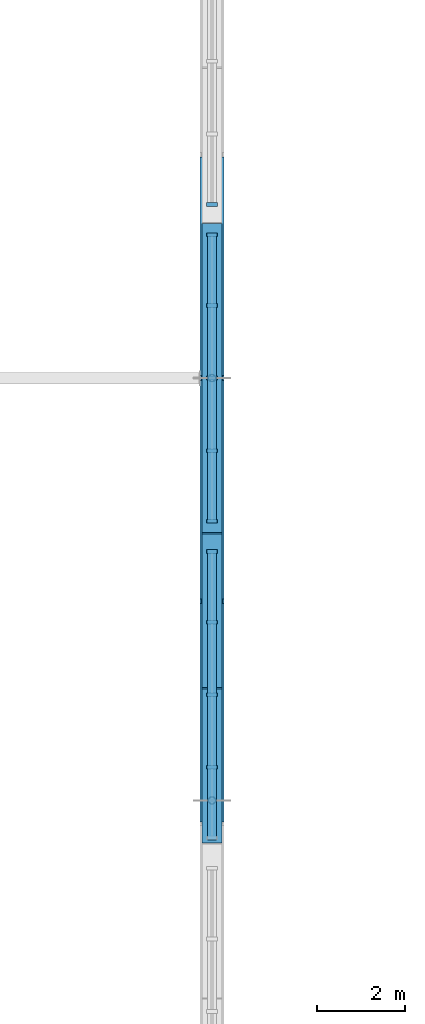
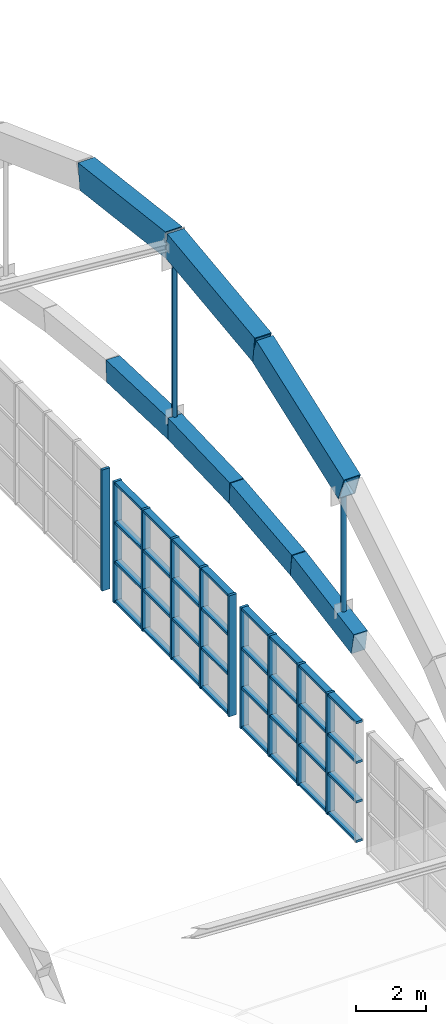
# One storey, part 24 of 64: 23 members, 4 beams, 3 elements without a shape of their own.
"""IFC4 building model written with IfcOpenShell, lengths in metres."""

import ifcopenshell
import ifcopenshell.guid

model = None  # the IFC model being written
_history = None  # IfcOwnerHistory: only IFC2X3 demands one
_inside = {}  # id of a spatial element -> (the spatial element, [elements in it])
_under = {}  # id of a project, library or spatial element -> (it, [spatial elements below it])
_declared = {}  # id of a project -> (the project, [libraries it declares])
_typed = {}  # id of a type object -> (the type object, [elements of that type])
_made_of = {}  # id of a material, layer set ... -> (it, [elements and type objects made of it])


def new_model(schema):
    """Start an empty IFC model of exactly this schema.

    Asked for "IFC4X3", IfcOpenShell would pick the latest addendum, in which some entities
    have other attributes; the version numbers below select the first issue.
    IFC2X3 requires an IfcOwnerHistory on every rooted entity: one is made here for all.
    """
    global model, _history
    if schema == "IFC4X3":
        model = ifcopenshell.file(schema_version=(4, 3, 0, 0))
    else:
        model = ifcopenshell.file(schema=schema)
    _inside.clear()
    _under.clear()
    _declared.clear()
    _typed.clear()
    _made_of.clear()
    _history = None
    if model.schema == "IFC2X3":
        org = make("IfcOrganization", Name="unknown")
        user = make(
            "IfcPersonAndOrganization",
            ThePerson=make("IfcPerson", FamilyName="unknown"),
            TheOrganization=org,
        )
        app = make(
            "IfcApplication",
            ApplicationDeveloper=org,
            Version="unknown",
            ApplicationFullName="unknown",
            ApplicationIdentifier="unknown",
        )
        _history = make(
            "IfcOwnerHistory",
            OwningUser=user,
            OwningApplication=app,
            ChangeAction="ADDED",
            CreationDate=0,
        )
    return model


def make(cls, **values):
    """One entity of the class cls with the attributes given. An attribute that is None is left unset."""
    return model.create_entity(
        cls, **{name: value for name, value in values.items() if value is not None}
    )


def rooted(cls, **values):
    """An entity with a GlobalId (a new one), such as an element, a storey or a relation."""
    return make(cls, GlobalId=ifcopenshell.guid.new(), OwnerHistory=_history, **values)


def si_unit(unit_type, name, prefix=None):
    """IfcSIUnit, for example si_unit("LENGTHUNIT", "METRE", prefix="MILLI")."""
    return make("IfcSIUnit", UnitType=unit_type, Prefix=prefix, Name=name)


def assignment(units):
    """IfcUnitAssignment: the units of a project."""
    return None if units is None else make("IfcUnitAssignment", Units=units)


def point(xyz):
    """IfcCartesianPoint."""
    return None if xyz is None else make("IfcCartesianPoint", Coordinates=xyz)


def direction(xyz):
    """IfcDirection."""
    return None if xyz is None else make("IfcDirection", DirectionRatios=xyz)


def frame(location, z_axis=None, x_axis=None):
    """IfcAxis2Placement3D, a coordinate frame: its origin and axes. An axis left out is left unset."""
    return make(
        "IfcAxis2Placement3D",
        Location=point(location),
        Axis=direction(z_axis),
        RefDirection=direction(x_axis),
    )


def frame_2d(location, x_axis=None):
    """IfcAxis2Placement2D, a coordinate frame in the plane: its origin and x axis."""
    return make(
        "IfcAxis2Placement2D", Location=point(location), RefDirection=direction(x_axis)
    )


def origin():
    """The frame at (0, 0, 0) with its axes left unset."""
    return frame((0.0, 0.0, 0.0))


def origin_2d():
    """The frame at (0, 0) in the plane with its x axis left unset."""
    return frame_2d((0.0, 0.0))


def place(relative_to, where):
    """IfcLocalPlacement: puts the frame where relative to a parent placement (None: the world)."""
    return make(
        "IfcLocalPlacement", PlacementRelTo=relative_to, RelativePlacement=where
    )


def context(
    kind, dimensions, precision=None, world=None, true_north=None, identifier=None
):
    """IfcGeometricRepresentationContext, for example the 3D "Model" context."""
    return make(
        "IfcGeometricRepresentationContext",
        ContextIdentifier=identifier,
        ContextType=kind,
        CoordinateSpaceDimension=dimensions,
        Precision=precision,
        WorldCoordinateSystem=world,
        TrueNorth=true_north,
    )


def subcontext(parent, identifier, kind, view, scale=None):
    """IfcGeometricRepresentationSubContext, for example "Body" below "Model"."""
    return make(
        "IfcGeometricRepresentationSubContext",
        ContextIdentifier=identifier,
        ContextType=kind,
        ParentContext=parent,
        TargetScale=scale,
        TargetView=view,
    )


def project(units=None, contexts=None):
    """IfcProject with its units and contexts."""
    return rooted(
        "IfcProject",
        Name="project",
        RepresentationContexts=contexts,
        UnitsInContext=assignment(units),
    )


def spatial(cls, under=None, at=None, **own):
    """A site, building, storey or space (cls), placed at a placement, below another one or the project."""
    s = rooted(cls, ObjectPlacement=at, **own)
    if under is not None:
        _under.setdefault(under.id(), (under, []))[1].append(s)
    return s


def profile(cls, at=None, kind="AREA", **sizes):
    """A parametric profile (cls). Its sizes go by their IFC names, for example OverallWidth=200.0."""
    return make(cls, ProfileType=kind, Position=at, **sizes)


def rectangle(**sizes):
    """IfcRectangleProfileDef."""
    return profile("IfcRectangleProfileDef", **sizes)


def hollow_rectangle(**sizes):
    """IfcRectangleHollowProfileDef."""
    return profile("IfcRectangleHollowProfileDef", **sizes)


def hollow_circle(**sizes):
    """IfcCircleHollowProfileDef."""
    return profile("IfcCircleHollowProfileDef", **sizes)


def extrude(swept, where, along, depth):
    """IfcExtrudedAreaSolid: the profile swept, set in the frame where, extruded along a direction by depth."""
    return make(
        "IfcExtrudedAreaSolid",
        SweptArea=swept,
        Position=where,
        ExtrudedDirection=direction(along),
        Depth=depth,
    )


def shape(context_of_items, identifier, shape_type, items):
    """IfcShapeRepresentation: the items that make up one representation, for example the "Body"."""
    return make(
        "IfcShapeRepresentation",
        ContextOfItems=context_of_items,
        RepresentationIdentifier=identifier,
        RepresentationType=shape_type,
        Items=items,
    )


def material(Name=None, Category=None):
    """IfcMaterial."""
    return make("IfcMaterial", Name=Name, Category=Category)


def material_profile(
    of_material, cross_section, Name=None, Category=None, Priority=None
):
    """IfcMaterialProfile: a cross section and its material."""
    return make(
        "IfcMaterialProfile",
        Name=Name,
        Material=of_material,
        Profile=cross_section,
        Priority=Priority,
        Category=Category,
    )


def profile_set(profiles, Name=None, composite=None):
    """IfcMaterialProfileSet."""
    return make(
        "IfcMaterialProfileSet",
        Name=Name,
        MaterialProfiles=profiles,
        CompositeProfile=composite,
    )


def made_of(thing, what):
    """Note that an element or type object is made of a material, layer set ...; save() writes the relation."""
    if what is not None:
        _made_of.setdefault(what.id(), (what, []))[1].append(thing)
    return thing


def type_object(cls, material=None, **own):
    """A type object (cls), such as IfcWallType, which elements share."""
    return made_of(rooted(cls, **own), material)


def element(
    cls,
    number,
    at=None,
    inside=None,
    cuts=None,
    type_object=None,
    material=None,
    context=None,
    identifier="Body",
    shape_type=None,
    held_by="IfcProductDefinitionShape",
    body=None,
    shapes=None,
    **own,
):
    """One element of the class cls, such as IfcWall. Its Tag is "e" and its number.

    at: its placement. inside: the storey or other place that contains it. cuts: it is an
    opening in that element (IfcRelVoidsElement). A single representation is given by context,
    identifier, shape_type and body (its items); several are given by shapes. held_by: the class
    of the entity that holds the representations. save() writes the other relations.
    """
    e = rooted(cls, Tag="e%d" % number, ObjectPlacement=at, **own)
    if body is not None:
        shapes = [shape(context, identifier, shape_type, body)]
    if shapes is not None:
        e.Representation = make(held_by, Representations=shapes)
    if inside is not None:
        _inside.setdefault(inside.id(), (inside, []))[1].append(e)
    if cuts is not None:
        rooted(
            "IfcRelVoidsElement", RelatingBuildingElement=cuts, RelatedOpeningElement=e
        )
    if type_object is not None:
        _typed.setdefault(type_object.id(), (type_object, []))[1].append(e)
    return made_of(e, material)


def aggregate(whole, parts):
    """IfcRelAggregates: a whole, such as a stair, and the parts it consists of."""
    return rooted("IfcRelAggregates", RelatingObject=whole, RelatedObjects=parts)


def save(model, path):
    """Write the relations noted so far, then the file.

    IfcRelAggregates (storeys below a building ...), IfcRelContainedInSpatialStructure (elements
    in a storey), IfcRelDefinesByType, IfcRelAssociatesMaterial and IfcRelDeclares: one each for
    every whole, place, type object, material and project.
    """
    for whole, parts in _under.values():
        aggregate(whole, parts)
    for where, things in _inside.values():
        rooted(
            "IfcRelContainedInSpatialStructure",
            RelatedElements=things,
            RelatingStructure=where,
        )
    for kind, things in _typed.values():
        rooted("IfcRelDefinesByType", RelatedObjects=things, RelatingType=kind)
    for what, things in _made_of.values():
        rooted("IfcRelAssociatesMaterial", RelatedObjects=things, RelatingMaterial=what)
    for by, libraries in _declared.values():
        rooted("IfcRelDeclares", RelatingContext=by, RelatedDefinitions=libraries)
    model.write(path)


model = new_model("IFC4")

# Units and contexts
model_context = context("Model", 3, precision=1e-05, world=origin(), true_north=direction((0.0, 1.0)))
body_context = subcontext(model_context, "Body", "Model", "MODEL_VIEW")
ifc_project = project(units=[si_unit("LENGTHUNIT", "METRE"), si_unit("AREAUNIT", "SQUARE_METRE"), si_unit("VOLUMEUNIT", "CUBIC_METRE"), si_unit("PLANEANGLEUNIT", "RADIAN"), si_unit("MASSUNIT", "GRAM", prefix="KILO")], contexts=[model_context])

# Site, building, storey
site_placement = place(None, origin())
site = spatial("IfcSite", under=ifc_project, at=site_placement, CompositionType="ELEMENT")
building_placement = place(site_placement, origin())
building = spatial("IfcBuilding", under=site, at=building_placement, Name="Leyfeld Transit Interchange", CompositionType="ELEMENT")
storey_placement = place(building_placement, frame((0.0, 0.0, 9.60009765625)))
storey = spatial("IfcBuildingStorey", under=building, at=storey_placement, Name="L02", CompositionType="ELEMENT", Elevation=9.60009765625)

# Beams
ifc_material_1 = material(Name="Concrete C40/50", Category="concrete")
ifc_material_profile_1 = material_profile(ifc_material_1, rectangle(XDim=0.449951171875, YDim=0.75, at=origin_2d()), Name="RC 750x450 RIB")
ifc_profile_set_1 = profile_set([ifc_material_profile_1], Name="Concrete C40/50")
beam_type = type_object("IfcBeamType", Name="BM-RIB-750x450", PredefinedType="USERDEFINED", material=ifc_profile_set_1)
beam_1_placement = place(storey_placement, frame((100.800048828125, 21.89990234375, 6.3251953125), z_axis=(0.0, 0.984546197367, 0.175125056033), x_axis=(-1.0, 0.0, 0.0)))
element("IfcBeam", 1, at=beam_1_placement, inside=storey, type_object=beam_type, Name="Concourse Vault Rib A8 Seg 6", ObjectType="ARCH_RIB", PredefinedType="USERDEFINED", context=body_context, shape_type="SweptSolid", body=[
    extrude(rectangle(XDim=0.449951171875, YDim=0.75, at=origin_2d()), origin(), (0.0, 0.0, 1.0), 3.554931640625),
])
beam_2_placement = place(storey_placement, frame((100.800048828125, 25.39990234375, 6.94775390625), z_axis=(0.0, 0.99446241795, 0.105092812723), x_axis=(-1.0, 0.0, 0.0)))
element("IfcBeam", 2, at=beam_2_placement, inside=storey, type_object=beam_type, Name="Concourse Vault Rib A8 Seg 7", ObjectType="ARCH_RIB", PredefinedType="USERDEFINED", context=body_context, shape_type="SweptSolid", body=[
    extrude(rectangle(XDim=0.449951171875, YDim=0.75, at=origin_2d()), origin(), (0.0, 0.0, 1.0), 3.51953125),
])
for number, where, z_axis, x_axis, name in (
    (3, (100.800048828125, 28.89990234375, 7.317626953125), (0.0, 0.999387477159, 0.034995292518), (-1.0, 0.0, 0.0), "Concourse Vault Rib A8 Seg 8"),
    (4, (100.800048828125, 32.39990234375, 7.440185546875), (0.0, 0.999387477159, -0.034995292518), (-1.0, 0.0, 0.0), "Concourse Vault Rib A8 Seg 9"),
):
    element("IfcBeam", number, at=place(storey_placement, frame(where, z_axis=z_axis, x_axis=x_axis)), inside=storey, type_object=beam_type, Name=name, ObjectType="ARCH_RIB", PredefinedType="USERDEFINED", context=body_context, shape_type="SweptSolid", body=[
        extrude(rectangle(XDim=0.449951171875, YDim=0.75, at=origin_2d()), origin(), (0.0, 0.0, 1.0), 3.502197265625),
    ])

# Curtain wall, members
ifc_material_2 = material(Name="Anodised aluminium EN AW-6060 T66", Category="aluminium")
curtain_wall_type = type_object("IfcCurtainWallType", Name="CW-SYS-GAB-7200", PredefinedType="NOTDEFINED", material=ifc_material_2)
curtain_wall_1_placement = place(storey_placement, origin())
curtain_wall_1 = element("IfcCurtainWall", 5, at=curtain_wall_1_placement, inside=storey, type_object=curtain_wall_type, Name="Curtain Wall CW-L02-GABE-02", PredefinedType="NOTDEFINED")
ifc_material_profile_2 = material_profile(ifc_material_2, rectangle(XDim=0.0849609375, YDim=0.260009765625, at=origin_2d()), Name="CW-M 85x260")
ifc_profile_set_2 = profile_set([ifc_material_profile_2], Name="Anodised aluminium EN AW-6060 T66")
member_type_1 = type_object("IfcMemberType", Name="CW-MUL-220x80", PredefinedType="MULLION", material=ifc_profile_set_2)
member_1_placement = place(storey_placement, frame((100.800048828125, 23.550048828125, -0.60009765625), z_axis=(0.0, 0.0, 1.0), x_axis=(0.0, 1.0, 0.0)))
member_1 = element("IfcMember", 6, at=member_1_placement, type_object=member_type_1, Name="Curtain Mullion CW-L02-GABE-02-M02", PredefinedType="MULLION", context=body_context, shape_type="SweptSolid", body=[
    extrude(rectangle(XDim=0.0849609375, YDim=0.260009765625, at=origin_2d()), origin(), (0.0, 0.0, 1.0), 4.199951171875),
])
member_2_placement = place(storey_placement, frame((100.800048828125, 25.199951171875, -0.60009765625), z_axis=(0.0, 0.0, 1.0), x_axis=(0.0, 1.0, 0.0)))
member_2 = element("IfcMember", 7, at=member_2_placement, type_object=member_type_1, Name="Curtain Mullion CW-L02-GABE-02-M03", PredefinedType="MULLION", context=body_context, shape_type="SweptSolid", body=[
    extrude(rectangle(XDim=0.0849609375, YDim=0.260009765625, at=origin_2d()), origin(), (0.0, 0.0, 1.0), 4.199951171875),
])
member_3_placement = place(storey_placement, frame((100.800048828125, 26.85009765625, -0.60009765625), z_axis=(0.0, 0.0, 1.0), x_axis=(0.0, 1.0, 0.0)))
member_3 = element("IfcMember", 8, at=member_3_placement, type_object=member_type_1, Name="Curtain Mullion CW-L02-GABE-02-M04", PredefinedType="MULLION", context=body_context, shape_type="SweptSolid", body=[
    extrude(rectangle(XDim=0.0849609375, YDim=0.260009765625, at=origin_2d()), origin(), (0.0, 0.0, 1.0), 4.199951171875),
])
member_4_placement = place(storey_placement, frame((100.800048828125, 28.45751953125, -0.60009765625), z_axis=(0.0, 0.0, 1.0), x_axis=(0.0, 1.0, 0.0)))
member_4 = element("IfcMember", 9, at=member_4_placement, type_object=member_type_1, Name="Curtain Mullion CW-L02-GABE-02-M05", PredefinedType="MULLION", context=body_context, shape_type="SweptSolid", body=[
    extrude(rectangle(XDim=0.0849609375, YDim=0.260009765625, at=origin_2d()), origin(), (0.0, 0.0, 1.0), 4.199951171875),
])

curtain_wall_2_placement = place(storey_placement, origin())
curtain_wall_2 = element("IfcCurtainWall", 10, at=curtain_wall_2_placement, inside=storey, type_object=curtain_wall_type, Name="Curtain Wall CW-L02-GABE-03", PredefinedType="NOTDEFINED")
member_5_placement = place(storey_placement, frame((100.800048828125, 29.142578125, -0.60009765625), z_axis=(0.0, 0.0, 1.0), x_axis=(0.0, 1.0, 0.0)))
member_5 = element("IfcMember", 11, at=member_5_placement, type_object=member_type_1, Name="Curtain Mullion CW-L02-GABE-03-M01", PredefinedType="MULLION", context=body_context, shape_type="SweptSolid", body=[
    extrude(rectangle(XDim=0.0849609375, YDim=0.260009765625, at=origin_2d()), origin(), (0.0, 0.0, 1.0), 4.199951171875),
])
member_6_placement = place(storey_placement, frame((100.800048828125, 30.75, -0.60009765625), z_axis=(0.0, 0.0, 1.0), x_axis=(0.0, 1.0, 0.0)))
member_6 = element("IfcMember", 12, at=member_6_placement, type_object=member_type_1, Name="Curtain Mullion CW-L02-GABE-03-M02", PredefinedType="MULLION", context=body_context, shape_type="SweptSolid", body=[
    extrude(rectangle(XDim=0.0849609375, YDim=0.260009765625, at=origin_2d()), origin(), (0.0, 0.0, 1.0), 4.199951171875),
])
member_7_placement = place(storey_placement, frame((100.800048828125, 32.39990234375, -0.60009765625), z_axis=(0.0, 0.0, 1.0), x_axis=(0.0, 1.0, 0.0)))
member_7 = element("IfcMember", 13, at=member_7_placement, type_object=member_type_1, Name="Curtain Mullion CW-L02-GABE-03-M03", PredefinedType="MULLION", context=body_context, shape_type="SweptSolid", body=[
    extrude(rectangle(XDim=0.0849609375, YDim=0.260009765625, at=origin_2d()), origin(), (0.0, 0.0, 1.0), 4.199951171875),
])
member_8_placement = place(storey_placement, frame((100.800048828125, 34.050048828125, -0.60009765625), z_axis=(0.0, 0.0, 1.0), x_axis=(0.0, 1.0, 0.0)))
member_8 = element("IfcMember", 14, at=member_8_placement, type_object=member_type_1, Name="Curtain Mullion CW-L02-GABE-03-M04", PredefinedType="MULLION", context=body_context, shape_type="SweptSolid", body=[
    extrude(rectangle(XDim=0.0849609375, YDim=0.260009765625, at=origin_2d()), origin(), (0.0, 0.0, 1.0), 4.199951171875),
])
member_9_placement = place(storey_placement, frame((100.800048828125, 35.657470703125, -0.60009765625), z_axis=(0.0, 0.0, 1.0), x_axis=(0.0, 1.0, 0.0)))
member_9 = element("IfcMember", 15, at=member_9_placement, type_object=member_type_1, Name="Curtain Mullion CW-L02-GABE-03-M05", PredefinedType="MULLION", context=body_context, shape_type="SweptSolid", body=[
    extrude(rectangle(XDim=0.0849609375, YDim=0.260009765625, at=origin_2d()), origin(), (0.0, 0.0, 1.0), 4.199951171875),
])

# Curtain wall, member
curtain_wall_3_placement = place(storey_placement, origin())
curtain_wall_3 = element("IfcCurtainWall", 16, at=curtain_wall_3_placement, inside=storey, type_object=curtain_wall_type, Name="Curtain Wall CW-L02-GABE-04", PredefinedType="NOTDEFINED")
member_10_placement = place(storey_placement, frame((100.800048828125, 36.342529296875, -0.60009765625), z_axis=(0.0, 0.0, 1.0), x_axis=(0.0, 1.0, 0.0)))
member_10 = element("IfcMember", 17, at=member_10_placement, type_object=member_type_1, Name="Curtain Mullion CW-L02-GABE-04-M01", PredefinedType="MULLION", context=body_context, shape_type="SweptSolid", body=[
    extrude(rectangle(XDim=0.0849609375, YDim=0.260009765625, at=origin_2d()), origin(), (0.0, 0.0, 1.0), 4.199951171875),
])
aggregate(curtain_wall_3, [member_10])

# Member
ifc_material_profile_3 = material_profile(ifc_material_2, rectangle(XDim=0.2099609375, YDim=0.0849609375, at=origin_2d()), Name="CW-TRN-200x80")
ifc_profile_set_3 = profile_set([ifc_material_profile_3], Name="Anodised aluminium EN AW-6060 T66")
member_type_2 = type_object("IfcMemberType", Name="CW-TRN-200x80", PredefinedType="USERDEFINED", material=ifc_profile_set_3)
member_11_placement = place(storey_placement, frame((100.800048828125, 21.89990234375, -0.5576171875), z_axis=(0.0, 1.0, 0.0), x_axis=(-1.0, 0.0, 0.0)))
member_11 = element("IfcMember", 18, at=member_11_placement, type_object=member_type_2, Name="Curtain Transom CW-L02-GABE-02-T01", ObjectType="TRANSOM", PredefinedType="USERDEFINED", context=body_context, shape_type="SweptSolid", body=[
    extrude(rectangle(XDim=0.2099609375, YDim=0.0849609375, at=origin_2d()), origin(), (0.0, 0.0, 1.0), 6.60009765625),
])

member_12_placement = place(storey_placement, frame((100.800048828125, 21.89990234375, 0.814208984375), z_axis=(0.0, 1.0, 0.0), x_axis=(-1.0, 0.0, 0.0)))
member_12 = element("IfcMember", 19, at=member_12_placement, type_object=member_type_2, Name="Curtain Transom CW-L02-GABE-02-T02", ObjectType="TRANSOM", PredefinedType="USERDEFINED", context=body_context, shape_type="SweptSolid", body=[
    extrude(rectangle(XDim=0.2099609375, YDim=0.0849609375, at=origin_2d()), origin(), (0.0, 0.0, 1.0), 6.60009765625),
])

member_13_placement = place(storey_placement, frame((100.800048828125, 21.89990234375, 2.185791015625), z_axis=(0.0, 1.0, 0.0), x_axis=(-1.0, 0.0, 0.0)))
member_13 = element("IfcMember", 20, at=member_13_placement, type_object=member_type_2, Name="Curtain Transom CW-L02-GABE-02-T03", ObjectType="TRANSOM", PredefinedType="USERDEFINED", context=body_context, shape_type="SweptSolid", body=[
    extrude(rectangle(XDim=0.2099609375, YDim=0.0849609375, at=origin_2d()), origin(), (0.0, 0.0, 1.0), 6.60009765625),
])

member_14_placement = place(storey_placement, frame((100.800048828125, 21.89990234375, 3.557373046875), z_axis=(0.0, 1.0, 0.0), x_axis=(-1.0, 0.0, 0.0)))
member_14 = element("IfcMember", 21, at=member_14_placement, type_object=member_type_2, Name="Curtain Transom CW-L02-GABE-02-T04", ObjectType="TRANSOM", PredefinedType="USERDEFINED", context=body_context, shape_type="SweptSolid", body=[
    extrude(rectangle(XDim=0.2099609375, YDim=0.0849609375, at=origin_2d()), origin(), (0.0, 0.0, 1.0), 6.60009765625),
])

aggregate(curtain_wall_1, [member_1, member_2, member_3, member_4, member_11, member_12, member_13, member_14])

member_15_placement = place(storey_placement, frame((100.800048828125, 29.10009765625, -0.5576171875), z_axis=(0.0, 1.0, 0.0), x_axis=(-1.0, 0.0, 0.0)))
member_15 = element("IfcMember", 22, at=member_15_placement, type_object=member_type_2, Name="Curtain Transom CW-L02-GABE-03-T01", ObjectType="TRANSOM", PredefinedType="USERDEFINED", context=body_context, shape_type="SweptSolid", body=[
    extrude(rectangle(XDim=0.2099609375, YDim=0.0849609375, at=origin_2d()), origin(), (0.0, 0.0, 1.0), 6.599853515625),
])

member_16_placement = place(storey_placement, frame((100.800048828125, 29.10009765625, 0.814208984375), z_axis=(0.0, 1.0, 0.0), x_axis=(-1.0, 0.0, 0.0)))
member_16 = element("IfcMember", 23, at=member_16_placement, type_object=member_type_2, Name="Curtain Transom CW-L02-GABE-03-T02", ObjectType="TRANSOM", PredefinedType="USERDEFINED", context=body_context, shape_type="SweptSolid", body=[
    extrude(rectangle(XDim=0.2099609375, YDim=0.0849609375, at=origin_2d()), origin(), (0.0, 0.0, 1.0), 6.599853515625),
])

member_17_placement = place(storey_placement, frame((100.800048828125, 29.10009765625, 2.185791015625), z_axis=(0.0, 1.0, 0.0), x_axis=(-1.0, 0.0, 0.0)))
member_17 = element("IfcMember", 24, at=member_17_placement, type_object=member_type_2, Name="Curtain Transom CW-L02-GABE-03-T03", ObjectType="TRANSOM", PredefinedType="USERDEFINED", context=body_context, shape_type="SweptSolid", body=[
    extrude(rectangle(XDim=0.2099609375, YDim=0.0849609375, at=origin_2d()), origin(), (0.0, 0.0, 1.0), 6.599853515625),
])

member_18_placement = place(storey_placement, frame((100.800048828125, 29.10009765625, 3.557373046875), z_axis=(0.0, 1.0, 0.0), x_axis=(-1.0, 0.0, 0.0)))
member_18 = element("IfcMember", 25, at=member_18_placement, type_object=member_type_2, Name="Curtain Transom CW-L02-GABE-03-T04", ObjectType="TRANSOM", PredefinedType="USERDEFINED", context=body_context, shape_type="SweptSolid", body=[
    extrude(rectangle(XDim=0.2099609375, YDim=0.0849609375, at=origin_2d()), origin(), (0.0, 0.0, 1.0), 6.599853515625),
])

aggregate(curtain_wall_2, [member_5, member_6, member_7, member_8, member_9, member_15, member_16, member_17, member_18])

# Members
ifc_material_3 = material(Name="Steel S355J2 - Ochre Arch", Category="steel")
ifc_material_profile_4 = material_profile(ifc_material_3, hollow_rectangle(XDim=0.550048828125, YDim=0.89990234375, WallThickness=0.031982421875, at=origin_2d()), Name="RHS 900x550x32")
ifc_profile_set_4 = profile_set([ifc_material_profile_4], Name="Steel S355J2 - Ochre Arch")
member_type_3 = type_object("IfcMemberType", Name="MEM-ARCH-900", PredefinedType="USERDEFINED", material=ifc_profile_set_4)
member_19_placement = place(storey_placement, frame((100.800048828125, 22.466796875, 11.36669921875), z_axis=(0.0, 0.938638972775, 0.344901259475), x_axis=(-1.0, 0.0, 0.0)))
element("IfcMember", 26, at=member_19_placement, inside=storey, type_object=member_type_3, Name="Primary Steel Arch GP-E Seg 5", ObjectType="ARCH_SEGMENT", PredefinedType="USERDEFINED", context=body_context, shape_type="SweptSolid", body=[
    extrude(hollow_rectangle(XDim=0.550048828125, YDim=0.89990234375, WallThickness=0.031982421875, at=origin_2d()), origin(), (0.0, 0.0, 1.0), 5.291259765625),
])
member_20_placement = place(storey_placement, frame((100.800048828125, 27.433349609375, 13.191650390625), z_axis=(0.0, 0.992586268566, 0.121542171508), x_axis=(-1.0, 0.0, 0.0)))
element("IfcMember", 27, at=member_20_placement, inside=storey, type_object=member_type_3, Name="Primary Steel Arch GP-E Seg 6", ObjectType="ARCH_SEGMENT", PredefinedType="USERDEFINED", context=body_context, shape_type="SweptSolid", body=[
    extrude(hollow_rectangle(XDim=0.550048828125, YDim=0.89990234375, WallThickness=0.031982421875, at=origin_2d()), origin(), (0.0, 0.0, 1.0), 5.003662109375),
])
member_21_placement = place(storey_placement, frame((100.800048828125, 32.39990234375, 13.7998046875), z_axis=(0.0, 0.992586989301, -0.121536285408), x_axis=(-1.0, 0.0, 0.0)))
element("IfcMember", 28, at=member_21_placement, inside=storey, type_object=member_type_3, Name="Primary Steel Arch GP-E Seg 7", ObjectType="ARCH_SEGMENT", PredefinedType="USERDEFINED", context=body_context, shape_type="SweptSolid", body=[
    extrude(hollow_rectangle(XDim=0.550048828125, YDim=0.89990234375, WallThickness=0.031982421875, at=origin_2d()), origin(), (0.0, 0.0, 1.0), 5.00390625),
])
ifc_material_4 = material(Name="Steel S355J2", Category="steel")
ifc_material_profile_5 = material_profile(ifc_material_4, hollow_circle(Radius=0.084228515625, WallThickness=0.008056640625, at=origin_2d()), Name="CHS 168.3x8")
ifc_profile_set_5 = profile_set([ifc_material_profile_5], Name="Steel S355J2")
member_type_4 = type_object("IfcMemberType", Name="MEM-HGR-168", PredefinedType="USERDEFINED", material=ifc_profile_set_5)
member_22_placement = place(storey_placement, frame((100.800048828125, 22.800048828125, 6.885009765625), z_axis=(0.0, 0.0, 1.0), x_axis=(1.0, 0.0, 0.0)))
element("IfcMember", 29, at=member_22_placement, inside=storey, type_object=member_type_4, Name="Arch Tension Hanger GP-E H3", ObjectType="SUSPENDER", PredefinedType="USERDEFINED", context=body_context, shape_type="SweptSolid", body=[
    extrude(hollow_circle(Radius=0.084228515625, WallThickness=0.008056640625, at=origin_2d()), origin(), (0.0, 0.0, 1.0), 4.12451171875),
])
member_23_placement = place(storey_placement, frame((100.800048828125, 32.39990234375, 7.815185546875), z_axis=(0.0, 0.0, 1.0), x_axis=(1.0, 0.0, 0.0)))
element("IfcMember", 30, at=member_23_placement, inside=storey, type_object=member_type_4, Name="Arch Tension Hanger GP-E H4", ObjectType="SUSPENDER", PredefinedType="USERDEFINED", context=body_context, shape_type="SweptSolid", body=[
    extrude(hollow_circle(Radius=0.084228515625, WallThickness=0.008056640625, at=origin_2d()), origin(), (0.0, 0.0, 1.0), 5.53125),
])

save(model, "model.ifc")
